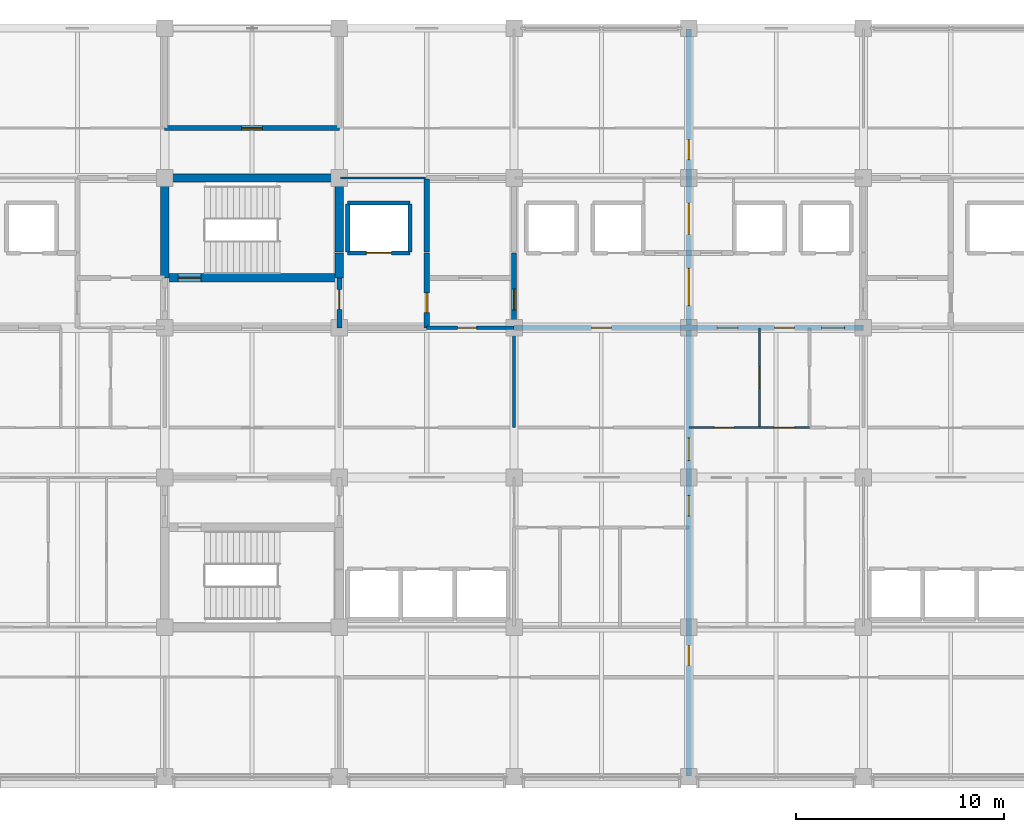
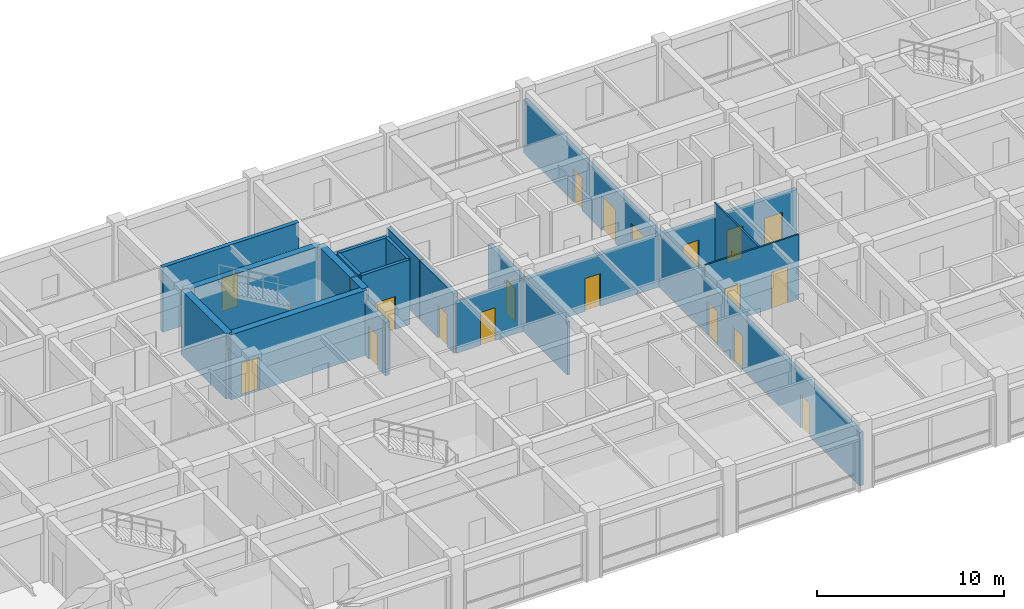
# One storey, part 19 of 30: 21 walls, 20 doors, 20 openings.
"""IFC4 building model written with IfcOpenShell, lengths in metres."""

from ifc_helpers import new_model, si_unit, direction, frame, frame_2d, origin, place, context, subcontext, project, spatial, rectangle, extrude, material, layer, layer_set, type_object, element, fill, save


model = new_model("IFC4")

# Units and contexts
model_context = context("Model", 3, precision=1e-05, world=origin(), true_north=direction((0.0, 1.0)))
body_context = subcontext(model_context, "Body", "Model", "MODEL_VIEW")
ifc_project = project(units=[si_unit("LENGTHUNIT", "METRE"), si_unit("AREAUNIT", "SQUARE_METRE"), si_unit("VOLUMEUNIT", "CUBIC_METRE"), si_unit("PLANEANGLEUNIT", "RADIAN"), si_unit("MASSUNIT", "GRAM", prefix="KILO")], contexts=[model_context])

# Site, building, storey
site_placement = place(None, origin())
site = spatial("IfcSite", under=ifc_project, at=site_placement, CompositionType="ELEMENT")
building_placement = place(site_placement, origin())
building = spatial("IfcBuilding", under=site, at=building_placement, Name="Chengyuan Square Courthouse", CompositionType="ELEMENT")
storey_placement = place(building_placement, frame((0.0, 0.0, 26.10009765625)))
storey = spatial("IfcBuildingStorey", under=building, at=storey_placement, Name="L06", CompositionType="ELEMENT", Elevation=26.10009765625)

# Wall, openings, doors
ifc_material_1 = material(Name="Concrete C40", Category="concrete")
ifc_layer_1 = layer(ifc_material_1, 0.25)
ifc_layer_set_1 = layer_set([ifc_layer_1], Name="Concrete C40")
wall_type_1 = type_object("IfcWallType", Name="WL-FW1", PredefinedType="STANDARD", material=ifc_layer_set_1)
wall_1_placement = place(storey_placement, frame((75.60009765625, 100.800048828125, 0.0), z_axis=(0.0, 0.0, 1.0), x_axis=(1.0, 0.0, 0.0)))
wall_1 = element("IfcWall", 1, at=wall_1_placement, inside=storey, type_object=wall_type_1, Name="Interior Wall WL-L06-I2419", PredefinedType="STANDARD", context=body_context, shape_type="SweptSolid", body=[
    extrude(rectangle(XDim=16.7998046875, YDim=0.25, at=frame_2d((8.39990234375, 0.0))), origin(), (0.0, 0.0, 1.0), 3.389892578125),
])
opening_1_placement = place(wall_1_placement, frame((3.72509765625, 0.0, 0.0)))
opening_1 = element("IfcOpeningElement", 2, at=opening_1_placement, cuts=wall_1, Name="Opening DR-2156", PredefinedType="OPENING", context=body_context, shape_type="SweptSolid", body=[
    extrude(rectangle(XDim=0.949951171875, YDim=2.14990234375, at=frame_2d((0.47509765625, 1.074951171875))), frame((0.0, 0.136962890625, 0.0), z_axis=(0.0, -1.0, 0.0), x_axis=(1.0, 0.0, 0.0)), (0.0, 0.0, 1.0), 0.27392578125),
])
opening_2_placement = place(wall_1_placement, frame((9.760009765625, 0.0, 0.0)))
opening_2 = element("IfcOpeningElement", 3, at=opening_2_placement, cuts=wall_1, Name="Opening DR-2158", PredefinedType="OPENING", context=body_context, shape_type="SweptSolid", body=[
    extrude(rectangle(XDim=1.0, YDim=2.199951171875, at=frame_2d((0.5, 1.10009765625))), frame((0.0, 0.136962890625, 0.0), z_axis=(0.0, -1.0, 0.0), x_axis=(1.0, 0.0, 0.0)), (0.0, 0.0, 1.0), 0.27392578125),
])
opening_3_placement = place(wall_1_placement, frame((12.52490234375, 0.0, 0.0)))
opening_3 = element("IfcOpeningElement", 4, at=opening_3_placement, cuts=wall_1, Name="Opening DR-2159", PredefinedType="OPENING", context=body_context, shape_type="SweptSolid", body=[
    extrude(rectangle(XDim=0.949951171875, YDim=2.14990234375, at=frame_2d((0.47509765625, 1.074951171875))), frame((0.0, 0.136962890625, 0.0), z_axis=(0.0, -1.0, 0.0), x_axis=(1.0, 0.0, 0.0)), (0.0, 0.0, 1.0), 0.27392578125),
])
opening_4_placement = place(wall_1_placement, frame((14.7900390625, 0.0, 0.0)))
opening_4 = element("IfcOpeningElement", 5, at=opening_4_placement, cuts=wall_1, Name="Opening DR-2160", PredefinedType="OPENING", context=body_context, shape_type="SweptSolid", body=[
    extrude(rectangle(XDim=1.10009765625, YDim=2.199951171875, at=frame_2d((0.550048828125, 1.10009765625))), frame((0.0, 0.136962890625, 0.0), z_axis=(0.0, -1.0, 0.0), x_axis=(1.0, 0.0, 0.0)), (0.0, 0.0, 1.0), 0.27392578125),
])
ifc_material_2 = material(Name="Steel Q235B Fire Door", Category="steel")
door_type_1 = type_object("IfcDoorType", Name="DT-10", OperationType="NOTDEFINED", PredefinedType="DOOR", material=ifc_material_2)
door_1_placement = place(opening_4_placement, origin())
door_1 = element("IfcDoor", 6, at=door_1_placement, inside=storey, type_object=door_type_1, Name="Interior Door DR-2160", OperationType="SINGLE_SWING_LEFT", OverallHeight=2.199951171875, OverallWidth=1.10009765625, PredefinedType="DOOR", context=body_context, shape_type="SweptSolid", body=[
    extrude(rectangle(XDim=1.10009765625, YDim=2.199951171875, at=frame_2d((0.550048828125, 1.10009765625))), frame((0.0, 0.02490234375, 0.0), z_axis=(0.0, -1.0, 0.0), x_axis=(1.0, 0.0, 0.0)), (0.0, 0.0, 1.0), 0.050048828125),
])
fill(opening_4, door_1)
door_type_2 = type_object("IfcDoorType", Name="DT-11", OperationType="NOTDEFINED", PredefinedType="DOOR", material=ifc_material_2)
door_2_placement = place(opening_2_placement, origin())
door_2 = element("IfcDoor", 7, at=door_2_placement, inside=storey, type_object=door_type_2, Name="Interior Door DR-2158", OperationType="SINGLE_SWING_LEFT", OverallHeight=2.199951171875, OverallWidth=1.0, PredefinedType="DOOR", context=body_context, shape_type="SweptSolid", body=[
    extrude(rectangle(XDim=1.0, YDim=2.199951171875, at=frame_2d((0.5, 1.10009765625))), frame((0.0, 0.02490234375, 0.0), z_axis=(0.0, -1.0, 0.0), x_axis=(1.0, 0.0, 0.0)), (0.0, 0.0, 1.0), 0.050048828125),
])
fill(opening_2, door_2)
door_type_3 = type_object("IfcDoorType", Name="DT-12", OperationType="NOTDEFINED", PredefinedType="DOOR", material=ifc_material_2)
door_3_placement = place(opening_1_placement, origin())
door_3 = element("IfcDoor", 8, at=door_3_placement, inside=storey, type_object=door_type_3, Name="Interior Door DR-2156", OperationType="SINGLE_SWING_LEFT", OverallHeight=2.14990234375, OverallWidth=0.949951171875, PredefinedType="DOOR", context=body_context, shape_type="SweptSolid", body=[
    extrude(rectangle(XDim=0.949951171875, YDim=2.14990234375, at=frame_2d((0.47509765625, 1.074951171875))), frame((0.0, 0.02490234375, 0.0), z_axis=(0.0, -1.0, 0.0), x_axis=(1.0, 0.0, 0.0)), (0.0, 0.0, 1.0), 0.050048828125),
])
fill(opening_1, door_3)
door_4_placement = place(opening_3_placement, origin())
door_4 = element("IfcDoor", 9, at=door_4_placement, inside=storey, type_object=door_type_3, Name="Interior Door DR-2159", OperationType="SINGLE_SWING_RIGHT", OverallHeight=2.14990234375, OverallWidth=0.949951171875, PredefinedType="DOOR", context=body_context, shape_type="SweptSolid", body=[
    extrude(rectangle(XDim=0.949951171875, YDim=2.14990234375, at=frame_2d((0.47509765625, 1.074951171875))), frame((0.0, 0.02490234375, 0.0), z_axis=(0.0, -1.0, 0.0), x_axis=(1.0, 0.0, 0.0)), (0.0, 0.0, 1.0), 0.050048828125),
])
fill(opening_3, door_4)

# Wall, opening, door
wall_2_placement = place(storey_placement, frame((58.800048828125, 110.39990234375, 0.0), z_axis=(0.0, 0.0, 1.0), x_axis=(1.0, 0.0, 0.0)))
wall_2 = element("IfcWall", 10, at=wall_2_placement, inside=storey, type_object=wall_type_1, Name="Interior Wall WL-L06-I2476", PredefinedType="STANDARD", context=body_context, shape_type="SweptSolid", body=[
    extrude(rectangle(XDim=8.39990234375, YDim=0.25, at=frame_2d((4.199951171875, 0.0))), origin(), (0.0, 0.0, 1.0), 4.239990234375),
])
opening_5_placement = place(wall_2_placement, frame((3.699951171875, 0.0, 0.0)))
opening_5 = element("IfcOpeningElement", 11, at=opening_5_placement, cuts=wall_2, Name="Opening DR-2281", PredefinedType="OPENING", context=body_context, shape_type="SweptSolid", body=[
    extrude(rectangle(XDim=1.0, YDim=2.199951171875, at=frame_2d((0.5, 1.10009765625))), frame((0.0, 0.136962890625, 0.0), z_axis=(0.0, -1.0, 0.0), x_axis=(1.0, 0.0, 0.0)), (0.0, 0.0, 1.0), 0.27392578125),
])
door_5_placement = place(opening_5_placement, origin())
door_5 = element("IfcDoor", 12, at=door_5_placement, inside=storey, type_object=door_type_2, Name="Interior Door DR-2281", OperationType="SINGLE_SWING_RIGHT", OverallHeight=2.199951171875, OverallWidth=1.0, PredefinedType="DOOR", context=body_context, shape_type="SweptSolid", body=[
    extrude(rectangle(XDim=1.0, YDim=2.199951171875, at=frame_2d((0.5, 1.10009765625))), frame((0.0, 0.02490234375, 0.0), z_axis=(0.0, -1.0, 0.0), x_axis=(1.0, 0.0, 0.0)), (0.0, 0.0, 1.0), 0.050048828125),
])
fill(opening_5, door_5)

wall_3_placement = place(storey_placement, frame((67.199951171875, 100.800048828125, 0.0), z_axis=(0.0, 0.0, 1.0), x_axis=(0.0, 1.0, 0.0)))
wall_3 = element("IfcWall", 13, at=wall_3_placement, inside=storey, type_object=wall_type_1, Name="Interior Wall WL-L06-I2521", PredefinedType="STANDARD", context=body_context, shape_type="SweptSolid", body=[
    extrude(rectangle(XDim=2.39990234375, YDim=0.25, at=frame_2d((1.199951171875, 0.0))), origin(), (0.0, 0.0, 1.0), 3.489990234375),
])
opening_6_placement = place(wall_3_placement, frame((0.885009765625, 0.0, 0.0)))
opening_6 = element("IfcOpeningElement", 14, at=opening_6_placement, cuts=wall_3, Name="Opening DR-2117", PredefinedType="OPENING", context=body_context, shape_type="SweptSolid", body=[
    extrude(rectangle(XDim=0.949951171875, YDim=2.14990234375, at=frame_2d((0.47509765625, 1.074951171875))), frame((0.0, 0.136962890625, 0.0), z_axis=(0.0, -1.0, 0.0), x_axis=(1.0, 0.0, 0.0)), (0.0, 0.0, 1.0), 0.27392578125),
])
door_6_placement = place(opening_6_placement, origin())
door_6 = element("IfcDoor", 15, at=door_6_placement, inside=storey, type_object=door_type_3, Name="Interior Door DR-2117", OperationType="SINGLE_SWING_LEFT", OverallHeight=2.14990234375, OverallWidth=0.949951171875, PredefinedType="DOOR", context=body_context, shape_type="SweptSolid", body=[
    extrude(rectangle(XDim=0.949951171875, YDim=2.14990234375, at=frame_2d((0.47509765625, 1.074951171875))), frame((0.0, 0.02490234375, 0.0), z_axis=(0.0, -1.0, 0.0), x_axis=(1.0, 0.0, 0.0)), (0.0, 0.0, 1.0), 0.050048828125),
])
fill(opening_6, door_6)

wall_4_placement = place(storey_placement, frame((71.39990234375, 100.800048828125, 0.0), z_axis=(0.0, 0.0, 1.0), x_axis=(0.0, 1.0, 0.0)))
wall_4 = element("IfcWall", 16, at=wall_4_placement, inside=storey, type_object=wall_type_1, Name="Interior Wall WL-L06-I2529", PredefinedType="STANDARD", context=body_context, shape_type="SweptSolid", body=[
    extrude(rectangle(XDim=3.599853515625, YDim=0.25, at=frame_2d((1.7998046875, 0.0))), origin(), (0.0, 0.0, 1.0), 3.889892578125),
])
opening_7_placement = place(wall_4_placement, frame((0.72509765625, 0.0, 0.0)))
opening_7 = element("IfcOpeningElement", 17, at=opening_7_placement, cuts=wall_4, Name="Opening DR-2135", PredefinedType="OPENING", context=body_context, shape_type="SweptSolid", body=[
    extrude(rectangle(XDim=0.949951171875, YDim=2.14990234375, at=frame_2d((0.47509765625, 1.074951171875))), frame((0.0, 0.136962890625, 0.0), z_axis=(0.0, -1.0, 0.0), x_axis=(1.0, 0.0, 0.0)), (0.0, 0.0, 1.0), 0.27392578125),
])
door_7_placement = place(opening_7_placement, origin())
door_7 = element("IfcDoor", 18, at=door_7_placement, inside=storey, type_object=door_type_3, Name="Interior Door DR-2135", OperationType="SINGLE_SWING_LEFT", OverallHeight=2.14990234375, OverallWidth=0.949951171875, PredefinedType="DOOR", context=body_context, shape_type="SweptSolid", body=[
    extrude(rectangle(XDim=0.949951171875, YDim=2.14990234375, at=frame_2d((0.47509765625, 1.074951171875))), frame((0.0, 0.02490234375, 0.0), z_axis=(0.0, -1.0, 0.0), x_axis=(1.0, 0.0, 0.0)), (0.0, 0.0, 1.0), 0.050048828125),
])
fill(opening_7, door_7)

# Wall
wall_5_placement = place(storey_placement, frame((71.39990234375, 104.449951171875, 0.0), z_axis=(0.0, 0.0, 1.0), x_axis=(0.0, 1.0, 0.0)))
element("IfcWall", 19, at=wall_5_placement, inside=storey, type_object=wall_type_1, Name="Interior Wall WL-L06-I2530", PredefinedType="STANDARD", context=body_context, shape_type="SweptSolid", body=[
    extrude(rectangle(XDim=3.5, YDim=0.25, at=frame_2d((1.75, 0.0))), origin(), (0.0, 0.0, 1.0), 3.889892578125),
])

# Wall, opening, door
wall_6_placement = place(storey_placement, frame((75.60009765625, 100.800048828125, 0.0), z_axis=(0.0, 0.0, 1.0), x_axis=(0.0, 1.0, 0.0)))
wall_6 = element("IfcWall", 20, at=wall_6_placement, inside=storey, type_object=wall_type_1, Name="Interior Wall WL-L06-I2537", PredefinedType="STANDARD", context=body_context, shape_type="SweptSolid", body=[
    extrude(rectangle(XDim=3.599853515625, YDim=0.25, at=frame_2d((1.7998046875, 0.0))), origin(), (0.0, 0.0, 1.0), 3.489990234375),
])
opening_8_placement = place(wall_6_placement, frame((0.860107421875, 0.0, 0.0)))
opening_8 = element("IfcOpeningElement", 21, at=opening_8_placement, cuts=wall_6, Name="Opening DR-2137", PredefinedType="OPENING", context=body_context, shape_type="SweptSolid", body=[
    extrude(rectangle(XDim=1.0, YDim=2.199951171875, at=frame_2d((0.5, 1.10009765625))), frame((0.0, 0.136962890625, 0.0), z_axis=(0.0, -1.0, 0.0), x_axis=(1.0, 0.0, 0.0)), (0.0, 0.0, 1.0), 0.27392578125),
])
door_8_placement = place(opening_8_placement, origin())
door_8 = element("IfcDoor", 22, at=door_8_placement, inside=storey, type_object=door_type_2, Name="Interior Door DR-2137", OperationType="SINGLE_SWING_LEFT", OverallHeight=2.199951171875, OverallWidth=1.0, PredefinedType="DOOR", context=body_context, shape_type="SweptSolid", body=[
    extrude(rectangle(XDim=1.0, YDim=2.199951171875, at=frame_2d((0.5, 1.10009765625))), frame((0.0, 0.02490234375, 0.0), z_axis=(0.0, -1.0, 0.0), x_axis=(1.0, 0.0, 0.0)), (0.0, 0.0, 1.0), 0.050048828125),
])
fill(opening_8, door_8)

# Wall, openings, doors
wall_7_placement = place(storey_placement, frame((84.0, 79.239990234375, 0.0), z_axis=(0.0, 0.0, 1.0), x_axis=(0.0, 1.0, 0.0)))
wall_7 = element("IfcWall", 23, at=wall_7_placement, inside=storey, type_object=wall_type_1, Name="Interior Wall WL-L06-I2547", PredefinedType="STANDARD", context=body_context, shape_type="SweptSolid", body=[
    extrude(rectangle(XDim=35.919921875, YDim=0.25, at=frame_2d((17.9599609375, 0.0))), origin(), (0.0, 0.0, 1.0), 3.489990234375),
])
opening_9_placement = place(wall_7_placement, frame((22.6201171875, 0.0, 0.0)))
opening_9 = element("IfcOpeningElement", 24, at=opening_9_placement, cuts=wall_7, Name="Opening DR-2155", PredefinedType="OPENING", context=body_context, shape_type="SweptSolid", body=[
    extrude(rectangle(XDim=1.800048828125, YDim=2.35009765625, at=frame_2d((0.89990234375, 1.175048828125))), frame((0.0, 0.136962890625, 0.0), z_axis=(0.0, -1.0, 0.0), x_axis=(1.0, 0.0, 0.0)), (0.0, 0.0, 1.0), 0.27392578125),
])
opening_10_placement = place(wall_7_placement, frame((12.5, 0.0, 0.0)))
opening_10 = element("IfcOpeningElement", 25, at=opening_10_placement, cuts=wall_7, Name="Opening DR-2194", PredefinedType="OPENING", context=body_context, shape_type="SweptSolid", body=[
    extrude(rectangle(XDim=1.0, YDim=2.199951171875, at=frame_2d((0.5, 1.10009765625))), frame((0.0, 0.136962890625, 0.0), z_axis=(0.0, -1.0, 0.0), x_axis=(1.0, 0.0, 0.0)), (0.0, 0.0, 1.0), 0.27392578125),
])
opening_11_placement = place(wall_7_placement, frame((15.169921875, 0.0, 0.0)))
opening_11 = element("IfcOpeningElement", 26, at=opening_11_placement, cuts=wall_7, Name="Opening DR-2205", PredefinedType="OPENING", context=body_context, shape_type="SweptSolid", body=[
    extrude(rectangle(XDim=1.10009765625, YDim=2.199951171875, at=frame_2d((0.550048828125, 1.10009765625))), frame((0.0, 0.136962890625, 0.0), z_axis=(0.0, -1.0, 0.0), x_axis=(1.0, 0.0, 0.0)), (0.0, 0.0, 1.0), 0.27392578125),
])
opening_12_placement = place(wall_7_placement, frame((26.050048828125, 0.0, 0.0)))
opening_12 = element("IfcOpeningElement", 27, at=opening_12_placement, cuts=wall_7, Name="Opening DR-2276", PredefinedType="OPENING", context=body_context, shape_type="SweptSolid", body=[
    extrude(rectangle(XDim=1.5, YDim=2.25, at=frame_2d((0.75, 1.125))), frame((0.0, 0.136962890625, 0.0), z_axis=(0.0, -1.0, 0.0), x_axis=(1.0, 0.0, 0.0)), (0.0, 0.0, 1.0), 0.27392578125),
])
opening_13_placement = place(wall_7_placement, frame((29.64501953125, 0.0, 0.0)))
opening_13 = element("IfcOpeningElement", 28, at=opening_13_placement, cuts=wall_7, Name="Opening DR-2279", PredefinedType="OPENING", context=body_context, shape_type="SweptSolid", body=[
    extrude(rectangle(XDim=0.949951171875, YDim=2.14990234375, at=frame_2d((0.47509765625, 1.074951171875))), frame((0.0, 0.136962890625, 0.0), z_axis=(0.0, -1.0, 0.0), x_axis=(1.0, 0.0, 0.0)), (0.0, 0.0, 1.0), 0.27392578125),
])
opening_14_placement = place(wall_7_placement, frame((5.324951171875, 0.0, 0.0)))
opening_14 = element("IfcOpeningElement", 29, at=opening_14_placement, cuts=wall_7, Name="Opening DR-2291", PredefinedType="OPENING", context=body_context, shape_type="SweptSolid", body=[
    extrude(rectangle(XDim=0.949951171875, YDim=2.14990234375, at=frame_2d((0.47509765625, 1.074951171875))), frame((0.0, 0.136962890625, 0.0), z_axis=(0.0, -1.0, 0.0), x_axis=(1.0, 0.0, 0.0)), (0.0, 0.0, 1.0), 0.27392578125),
])
door_9_placement = place(opening_11_placement, origin())
door_9 = element("IfcDoor", 30, at=door_9_placement, inside=storey, type_object=door_type_1, Name="Interior Door DR-2205", OperationType="SINGLE_SWING_RIGHT", OverallHeight=2.199951171875, OverallWidth=1.10009765625, PredefinedType="DOOR", context=body_context, shape_type="SweptSolid", body=[
    extrude(rectangle(XDim=1.10009765625, YDim=2.199951171875, at=frame_2d((0.550048828125, 1.10009765625))), frame((0.0, 0.02490234375, 0.0), z_axis=(0.0, -1.0, 0.0), x_axis=(1.0, 0.0, 0.0)), (0.0, 0.0, 1.0), 0.050048828125),
])
fill(opening_11, door_9)
door_10_placement = place(opening_10_placement, origin())
door_10 = element("IfcDoor", 31, at=door_10_placement, inside=storey, type_object=door_type_2, Name="Interior Door DR-2194", OperationType="SINGLE_SWING_RIGHT", OverallHeight=2.199951171875, OverallWidth=1.0, PredefinedType="DOOR", context=body_context, shape_type="SweptSolid", body=[
    extrude(rectangle(XDim=1.0, YDim=2.199951171875, at=frame_2d((0.5, 1.10009765625))), frame((0.0, 0.02490234375, 0.0), z_axis=(0.0, -1.0, 0.0), x_axis=(1.0, 0.0, 0.0)), (0.0, 0.0, 1.0), 0.050048828125),
])
fill(opening_10, door_10)
door_11_placement = place(opening_13_placement, origin())
door_11 = element("IfcDoor", 32, at=door_11_placement, inside=storey, type_object=door_type_3, Name="Interior Door DR-2279", OperationType="SINGLE_SWING_RIGHT", OverallHeight=2.14990234375, OverallWidth=0.949951171875, PredefinedType="DOOR", context=body_context, shape_type="SweptSolid", body=[
    extrude(rectangle(XDim=0.949951171875, YDim=2.14990234375, at=frame_2d((0.47509765625, 1.074951171875))), frame((0.0, 0.02490234375, 0.0), z_axis=(0.0, -1.0, 0.0), x_axis=(1.0, 0.0, 0.0)), (0.0, 0.0, 1.0), 0.050048828125),
])
fill(opening_13, door_11)
door_12_placement = place(opening_14_placement, origin())
door_12 = element("IfcDoor", 33, at=door_12_placement, inside=storey, type_object=door_type_3, Name="Interior Door DR-2291", OperationType="SINGLE_SWING_RIGHT", OverallHeight=2.14990234375, OverallWidth=0.949951171875, PredefinedType="DOOR", context=body_context, shape_type="SweptSolid", body=[
    extrude(rectangle(XDim=0.949951171875, YDim=2.14990234375, at=frame_2d((0.47509765625, 1.074951171875))), frame((0.0, 0.02490234375, 0.0), z_axis=(0.0, -1.0, 0.0), x_axis=(1.0, 0.0, 0.0)), (0.0, 0.0, 1.0), 0.050048828125),
])
fill(opening_14, door_12)
ifc_material_3 = material(Name="Steel Q235B Glazed Fire Door", Category="steel")
door_type_4 = type_object("IfcDoorType", Name="DT-18", OperationType="DOUBLE_DOOR_SINGLE_SWING", PredefinedType="DOOR", material=ifc_material_3)
door_13_placement = place(opening_9_placement, frame((1.800048828125, 0.0, 0.0), z_axis=(0.0, 0.0, 1.0), x_axis=(-1.0, 0.0, 0.0)))
door_13 = element("IfcDoor", 34, at=door_13_placement, inside=storey, type_object=door_type_4, Name="Interior Door DR-2155", OperationType="DOUBLE_DOOR_SINGLE_SWING", OverallHeight=2.35009765625, OverallWidth=1.800048828125, PredefinedType="DOOR", context=body_context, shape_type="SweptSolid", body=[
    extrude(rectangle(XDim=1.800048828125, YDim=2.35009765625, at=frame_2d((0.89990234375, 1.175048828125))), frame((0.0, 0.02490234375, 0.0), z_axis=(0.0, -1.0, 0.0), x_axis=(1.0, 0.0, 0.0)), (0.0, 0.0, 1.0), 0.050048828125),
])
fill(opening_9, door_13)
door_type_5 = type_object("IfcDoorType", Name="DT-19", OperationType="DOUBLE_DOOR_SINGLE_SWING", PredefinedType="DOOR", material=ifc_material_3)
door_14_placement = place(opening_12_placement, frame((1.5, 0.0, 0.0), z_axis=(0.0, 0.0, 1.0), x_axis=(-1.0, 0.0, 0.0)))
door_14 = element("IfcDoor", 35, at=door_14_placement, inside=storey, type_object=door_type_5, Name="Interior Door DR-2276", OperationType="DOUBLE_DOOR_SINGLE_SWING", OverallHeight=2.25, OverallWidth=1.5, PredefinedType="DOOR", context=body_context, shape_type="SweptSolid", body=[
    extrude(rectangle(XDim=1.5, YDim=2.25, at=frame_2d((0.75, 1.125))), frame((0.0, 0.02490234375, 0.0), z_axis=(0.0, -1.0, 0.0), x_axis=(1.0, 0.0, 0.0)), (0.0, 0.0, 1.0), 0.050048828125),
])
fill(opening_12, door_14)

# Wall, opening, door
ifc_material_4 = material(Name="Deliberation Room Sound-Insulated Partition")
ifc_layer_2 = layer(ifc_material_4, 0.14990234375)
ifc_layer_set_2 = layer_set([ifc_layer_2], Name="Deliberation Room Sound-Insulated Partition")
wall_type_2 = type_object("IfcWallType", Name="WL-PT3", PredefinedType="STANDARD", material=ifc_layer_set_2)
wall_8_placement = place(storey_placement, frame((71.39990234375, 100.800048828125, 0.0), z_axis=(0.0, 0.0, 1.0), x_axis=(1.0, 0.0, 0.0)))
wall_8 = element("IfcWall", 36, at=wall_8_placement, inside=storey, type_object=wall_type_2, Name="Interior Wall WL-L06-I2418", PredefinedType="STANDARD", context=body_context, shape_type="SweptSolid", body=[
    extrude(rectangle(XDim=4.2001953125, YDim=0.14990234375, at=frame_2d((2.10009765625, 0.0))), origin(), (0.0, 0.0, 1.0), 3.389892578125),
])
opening_15_placement = place(wall_8_placement, frame((1.47998046875, 0.0, 0.0)))
opening_15 = element("IfcOpeningElement", 37, at=opening_15_placement, cuts=wall_8, Name="Opening DR-2138", PredefinedType="OPENING", context=body_context, shape_type="SweptSolid", body=[
    extrude(rectangle(XDim=0.919921875, YDim=2.14990234375, at=frame_2d((0.4599609375, 1.074951171875))), frame((0.0, 0.0869140625, 0.0), z_axis=(0.0, -1.0, 0.0), x_axis=(1.0, 0.0, 0.0)), (0.0, 0.0, 1.0), 0.173828125),
])
ifc_material_5 = material(Name="Acoustic Solid-Core Timber Door", Category="wood")
door_type_6 = type_object("IfcDoorType", Name="DT-29", OperationType="NOTDEFINED", PredefinedType="DOOR", material=ifc_material_5)
door_15_placement = place(opening_15_placement, origin())
door_15 = element("IfcDoor", 38, at=door_15_placement, inside=storey, type_object=door_type_6, Name="Interior Door DR-2138", OperationType="SINGLE_SWING_RIGHT", OverallHeight=2.14990234375, OverallWidth=0.919921875, PredefinedType="DOOR", context=body_context, shape_type="SweptSolid", body=[
    extrude(rectangle(XDim=0.919921875, YDim=2.14990234375, at=frame_2d((0.4599609375, 1.074951171875))), frame((0.0, 0.02490234375, 0.0), z_axis=(0.0, -1.0, 0.0), x_axis=(1.0, 0.0, 0.0)), (0.0, 0.0, 1.0), 0.050048828125),
])
fill(opening_15, door_15)

# Wall
wall_9_placement = place(storey_placement, frame((75.60009765625, 96.0, 0.0), z_axis=(0.0, 0.0, 1.0), x_axis=(0.0, 1.0, 0.0)))
element("IfcWall", 39, at=wall_9_placement, inside=storey, type_object=wall_type_2, Name="Interior Wall WL-L06-I2536", PredefinedType="STANDARD", context=body_context, shape_type="SweptSolid", body=[
    extrude(rectangle(XDim=4.800048828125, YDim=0.14990234375, at=frame_2d((2.39990234375, 0.0))), origin(), (0.0, 0.0, 1.0), 3.489990234375),
])

# Wall, openings, doors
ifc_material_6 = material(Name="Gypsum Plasterboard Acoustic Stud Partition")
ifc_layer_3 = layer(ifc_material_6, 0.10009765625)
ifc_layer_set_3 = layer_set([ifc_layer_3], Name="Gypsum Plasterboard Acoustic Stud Partition")
wall_type_3 = type_object("IfcWallType", Name="WL-PT6", PredefinedType="STANDARD", material=ifc_layer_set_3)
wall_10_placement = place(storey_placement, frame((84.0, 96.0, 0.0), z_axis=(0.0, 0.0, 1.0), x_axis=(1.0, 0.0, 0.0)))
wall_10 = element("IfcWall", 40, at=wall_10_placement, inside=storey, type_object=wall_type_3, Name="Interior Wall WL-L06-I2404", PredefinedType="STANDARD", context=body_context, shape_type="SweptSolid", body=[
    extrude(rectangle(XDim=5.800048828125, YDim=0.10009765625, at=frame_2d((2.89990234375, 0.0))), origin(), (0.0, 0.0, 1.0), 4.239990234375),
])
opening_16_placement = place(wall_10_placement, frame((1.22998046875, 0.0, 0.0)))
opening_16 = element("IfcOpeningElement", 41, at=opening_16_placement, cuts=wall_10, Name="Opening DR-2216", PredefinedType="OPENING", context=body_context, shape_type="SweptSolid", body=[
    extrude(rectangle(XDim=0.93994140625, YDim=2.300048828125, at=frame_2d((0.469970703125, 1.14990234375))), frame((0.0, 0.06201171875, 0.0), z_axis=(0.0, -1.0, 0.0), x_axis=(1.0, 0.0, 0.0)), (0.0, 0.0, 1.0), 0.1240234375),
])
opening_17_placement = place(wall_10_placement, frame((4.110107421875, 0.0, 0.0)))
opening_17 = element("IfcOpeningElement", 42, at=opening_17_placement, cuts=wall_10, Name="Opening DR-2217", PredefinedType="OPENING", context=body_context, shape_type="SweptSolid", body=[
    extrude(rectangle(XDim=0.97998046875, YDim=2.35009765625, at=frame_2d((0.489990234375, 1.175048828125))), frame((0.0, 0.06201171875, 0.0), z_axis=(0.0, -1.0, 0.0), x_axis=(1.0, 0.0, 0.0)), (0.0, 0.0, 1.0), 0.1240234375),
])
door_type_7 = type_object("IfcDoorType", Name="DT-39", OperationType="NOTDEFINED", PredefinedType="DOOR", material=ifc_material_5)
door_16_placement = place(opening_16_placement, origin())
door_16 = element("IfcDoor", 43, at=door_16_placement, inside=storey, type_object=door_type_7, Name="Interior Door DR-2216", OperationType="SINGLE_SWING_LEFT", OverallHeight=2.300048828125, OverallWidth=0.93994140625, PredefinedType="DOOR", context=body_context, shape_type="SweptSolid", body=[
    extrude(rectangle(XDim=0.93994140625, YDim=2.300048828125, at=frame_2d((0.469970703125, 1.14990234375))), frame((0.0, 0.02490234375, 0.0), z_axis=(0.0, -1.0, 0.0), x_axis=(1.0, 0.0, 0.0)), (0.0, 0.0, 1.0), 0.050048828125),
])
fill(opening_16, door_16)
door_type_8 = type_object("IfcDoorType", Name="DT-40", OperationType="NOTDEFINED", PredefinedType="DOOR", material=ifc_material_5)
door_17_placement = place(opening_17_placement, origin())
door_17 = element("IfcDoor", 44, at=door_17_placement, inside=storey, type_object=door_type_8, Name="Interior Door DR-2217", OperationType="SINGLE_SWING_RIGHT", OverallHeight=2.35009765625, OverallWidth=0.97998046875, PredefinedType="DOOR", context=body_context, shape_type="SweptSolid", body=[
    extrude(rectangle(XDim=0.97998046875, YDim=2.35009765625, at=frame_2d((0.489990234375, 1.175048828125))), frame((0.0, 0.02490234375, 0.0), z_axis=(0.0, -1.0, 0.0), x_axis=(1.0, 0.0, 0.0)), (0.0, 0.0, 1.0), 0.050048828125),
])
fill(opening_17, door_17)

# Wall
wall_11_placement = place(storey_placement, frame((67.25, 108.0, 0.0), z_axis=(0.0, 0.0, 1.0), x_axis=(1.0, 0.0, 0.0)))
element("IfcWall", 45, at=wall_11_placement, inside=storey, type_object=wall_type_3, Name="Interior Wall WL-L06-I2465", PredefinedType="STANDARD", context=body_context, shape_type="SweptSolid", body=[
    extrude(rectangle(XDim=4.10009765625, YDim=0.10009765625, at=frame_2d((2.050048828125, 0.0))), origin(), (0.0, 0.0, 1.0), 3.389892578125),
])

# Wall, opening, door
wall_12_placement = place(storey_placement, frame((87.39990234375, 96.0, 0.0), z_axis=(0.0, 0.0, 1.0), x_axis=(0.0, 1.0, 0.0)))
wall_12 = element("IfcWall", 46, at=wall_12_placement, inside=storey, type_object=wall_type_3, Name="Interior Wall WL-L06-I2551", PredefinedType="STANDARD", context=body_context, shape_type="SweptSolid", body=[
    extrude(rectangle(XDim=4.800048828125, YDim=0.10009765625, at=frame_2d((2.39990234375, 0.0))), origin(), (0.0, 0.0, 1.0), 4.239990234375),
])
opening_18_placement = place(wall_12_placement, frame((1.8798828125, 0.0, 0.0)))
opening_18 = element("IfcOpeningElement", 47, at=opening_18_placement, cuts=wall_12, Name="Opening DR-2243", PredefinedType="OPENING", context=body_context, shape_type="SweptSolid", body=[
    extrude(rectangle(XDim=1.0400390625, YDim=2.199951171875, at=frame_2d((0.52001953125, 1.10009765625))), frame((0.0, 0.06201171875, 0.0), z_axis=(0.0, -1.0, 0.0), x_axis=(1.0, 0.0, 0.0)), (0.0, 0.0, 1.0), 0.1240234375),
])
door_type_9 = type_object("IfcDoorType", Name="DT-32", OperationType="NOTDEFINED", PredefinedType="DOOR", material=ifc_material_5)
door_18_placement = place(opening_18_placement, origin())
door_18 = element("IfcDoor", 48, at=door_18_placement, inside=storey, type_object=door_type_9, Name="Interior Door DR-2243", OperationType="SINGLE_SWING_LEFT", OverallHeight=2.199951171875, OverallWidth=1.0400390625, PredefinedType="DOOR", context=body_context, shape_type="SweptSolid", body=[
    extrude(rectangle(XDim=1.0400390625, YDim=2.199951171875, at=frame_2d((0.52001953125, 1.10009765625))), frame((0.0, 0.02490234375, 0.0), z_axis=(0.0, -1.0, 0.0), x_axis=(1.0, 0.0, 0.0)), (0.0, 0.0, 1.0), 0.050048828125),
])
fill(opening_18, door_18)

ifc_material_7 = material(Name="Reinforced Masonry Shaft Enclosure", Category="masonry")
ifc_layer_4 = layer(ifc_material_7, 0.199951171875)
ifc_layer_set_4 = layer_set([ifc_layer_4], Name="Reinforced Masonry Shaft Enclosure")
wall_type_4 = type_object("IfcWallType", Name="WL-SH1", PredefinedType="STANDARD", material=ifc_layer_set_4)
wall_13_placement = place(storey_placement, frame((67.60009765625, 104.39990234375, 0.0), z_axis=(0.0, 0.0, 1.0), x_axis=(1.0, 0.0, 0.0)))
wall_13 = element("IfcWall", 49, at=wall_13_placement, inside=storey, type_object=wall_type_4, Name="Interior Wall WL-L06-I2442", PredefinedType="STANDARD", context=body_context, shape_type="SweptSolid", body=[
    extrude(rectangle(XDim=3.0, YDim=0.199951171875, at=frame_2d((1.5, 0.0))), origin(), (0.0, 0.0, 1.0), 4.239990234375),
])
opening_19_placement = place(wall_13_placement, frame((0.89990234375, 0.0, 0.0)))
opening_19 = element("IfcOpeningElement", 50, at=opening_19_placement, cuts=wall_13, Name="Opening LD-101", PredefinedType="OPENING", context=body_context, shape_type="SweptSolid", body=[
    extrude(rectangle(XDim=1.199951171875, YDim=2.14990234375, at=frame_2d((0.60009765625, 1.074951171875))), frame((0.0, 0.112060546875, 0.0), z_axis=(0.0, -1.0, 0.0), x_axis=(1.0, 0.0, 0.0)), (0.0, 0.0, 1.0), 0.223876953125),
])
ifc_material_8 = material(Name="Stainless Steel S30408 Lift Landing Door", Category="steel")
door_type_10 = type_object("IfcDoorType", Name="DT-05", OperationType="DOUBLE_DOOR_SLIDING", PredefinedType="DOOR", material=ifc_material_8)
door_19_placement = place(opening_19_placement, origin())
door_19 = element("IfcDoor", 51, at=door_19_placement, inside=storey, type_object=door_type_10, Name="Lift Landing Door LF-F1 L06", OperationType="DOUBLE_DOOR_SLIDING", OverallHeight=2.14990234375, OverallWidth=1.199951171875, PredefinedType="DOOR", context=body_context, shape_type="SweptSolid", body=[
    extrude(rectangle(XDim=1.199951171875, YDim=2.14990234375, at=frame_2d((0.60009765625, 1.074951171875))), frame((0.0, 0.02490234375, 0.0), z_axis=(0.0, -1.0, 0.0), x_axis=(1.0, 0.0, 0.0)), (0.0, 0.0, 1.0), 0.050048828125),
])
fill(opening_19, door_19)

# Walls
wall_14_placement = place(storey_placement, frame((67.60009765625, 106.800048828125, 0.0), z_axis=(0.0, 0.0, 1.0), x_axis=(1.0, 0.0, 0.0)))
element("IfcWall", 52, at=wall_14_placement, inside=storey, type_object=wall_type_4, Name="Interior Wall WL-L06-I2454", PredefinedType="STANDARD", context=body_context, shape_type="SweptSolid", body=[
    extrude(rectangle(XDim=3.0, YDim=0.199951171875, at=frame_2d((1.5, 0.0))), origin(), (0.0, 0.0, 1.0), 4.239990234375),
])
for number, where, z_axis, x_axis, name in (
    (53, (67.60009765625, 104.449951171875, 0.0), (0.0, 0.0, 1.0), (0.0, 1.0, 0.0), "Interior Wall WL-L06-I2526"),
    (54, (70.60009765625, 104.449951171875, 0.0), (0.0, 0.0, 1.0), (0.0, 1.0, 0.0), "Interior Wall WL-L06-I2528"),
):
    element("IfcWall", number, at=place(storey_placement, frame(where, z_axis=z_axis, x_axis=x_axis)), inside=storey, type_object=wall_type_4, Name=name, PredefinedType="STANDARD", context=body_context, shape_type="SweptSolid", body=[
        extrude(rectangle(XDim=2.300048828125, YDim=0.199951171875, at=frame_2d((1.14990234375, 0.0))), origin(), (0.0, 0.0, 1.0), 4.239990234375),
    ])

# Wall, opening, door
ifc_material_9 = material(Name="Concrete C50", Category="concrete")
ifc_layer_5 = layer(ifc_material_9, 0.39990234375)
ifc_layer_set_5 = layer_set([ifc_layer_5], Name="Concrete C50")
wall_type_5 = type_object("IfcWallType", Name="WL-SW1", PredefinedType="SHEAR", material=ifc_layer_set_5)
wall_15_placement = place(storey_placement, frame((58.800048828125, 103.199951171875, 0.0), z_axis=(0.0, 0.0, 1.0), x_axis=(1.0, 0.0, 0.0)))
wall_15 = element("IfcWall", 55, at=wall_15_placement, inside=storey, type_object=wall_type_5, Name="Interior Wall WL-L06-I2432", PredefinedType="SHEAR", context=body_context, shape_type="SweptSolid", body=[
    extrude(rectangle(XDim=8.39990234375, YDim=0.39990234375, at=frame_2d((4.199951171875, 0.0))), origin(), (0.0, 0.0, 1.0), 4.239990234375),
])
opening_20_placement = place(wall_15_placement, frame((0.64990234375, 0.0, 0.0)))
opening_20 = element("IfcOpeningElement", 56, at=opening_20_placement, cuts=wall_15, Name="Opening DR-2111", PredefinedType="OPENING", context=body_context, shape_type="SweptSolid", body=[
    extrude(rectangle(XDim=1.10009765625, YDim=2.199951171875, at=frame_2d((0.550048828125, 1.10009765625))), frame((0.0, 0.2119140625, 0.0), z_axis=(0.0, -1.0, 0.0), x_axis=(1.0, 0.0, 0.0)), (0.0, 0.0, 1.0), 0.423828125),
])
door_20_placement = place(opening_20_placement, origin())
door_20 = element("IfcDoor", 57, at=door_20_placement, inside=storey, type_object=door_type_1, Name="Smoke-Proof Stairwell Fire Door ST-1 DR-2111", OperationType="SINGLE_SWING_LEFT", OverallHeight=2.199951171875, OverallWidth=1.10009765625, PredefinedType="DOOR", context=body_context, shape_type="SweptSolid", body=[
    extrude(rectangle(XDim=1.10009765625, YDim=2.199951171875, at=frame_2d((0.550048828125, 1.10009765625))), frame((0.0, 0.02490234375, 0.0), z_axis=(0.0, -1.0, 0.0), x_axis=(1.0, 0.0, 0.0)), (0.0, 0.0, 1.0), 0.050048828125),
])
fill(opening_20, door_20)

# Walls
wall_16_placement = place(storey_placement, frame((58.800048828125, 108.0, 0.0), z_axis=(0.0, 0.0, 1.0), x_axis=(1.0, 0.0, 0.0)))
element("IfcWall", 58, at=wall_16_placement, inside=storey, type_object=wall_type_5, Name="Interior Wall WL-L06-I2464", PredefinedType="SHEAR", context=body_context, shape_type="SweptSolid", body=[
    extrude(rectangle(XDim=8.39990234375, YDim=0.39990234375, at=frame_2d((4.199951171875, 0.0))), origin(), (0.0, 0.0, 1.0), 4.239990234375),
])
wall_17_placement = place(storey_placement, frame((58.800048828125, 103.199951171875, 0.0), z_axis=(0.0, 0.0, 1.0), x_axis=(0.0, 1.0, 0.0)))
element("IfcWall", 59, at=wall_17_placement, inside=storey, type_object=wall_type_5, Name="Interior Wall WL-L06-I2514", PredefinedType="SHEAR", context=body_context, shape_type="SweptSolid", body=[
    extrude(rectangle(XDim=4.800048828125, YDim=0.39990234375, at=frame_2d((2.39990234375, 0.0))), origin(), (0.0, 0.0, 1.0), 4.239990234375),
])
wall_18_placement = place(storey_placement, frame((67.199951171875, 103.199951171875, 0.0), z_axis=(0.0, 0.0, 1.0), x_axis=(0.0, 1.0, 0.0)))
element("IfcWall", 60, at=wall_18_placement, inside=storey, type_object=wall_type_5, Name="Interior Wall WL-L06-I2522", PredefinedType="SHEAR", context=body_context, shape_type="SweptSolid", body=[
    extrude(rectangle(XDim=1.199951171875, YDim=0.39990234375, at=frame_2d((0.60009765625, 0.0))), origin(), (0.0, 0.0, 1.0), 4.239990234375),
])
wall_19_placement = place(storey_placement, frame((67.199951171875, 104.449951171875, 0.0), z_axis=(0.0, 0.0, 1.0), x_axis=(0.0, 1.0, 0.0)))
element("IfcWall", 61, at=wall_19_placement, inside=storey, type_object=wall_type_5, Name="Interior Wall WL-L06-I2523", PredefinedType="SHEAR", context=body_context, shape_type="SweptSolid", body=[
    extrude(rectangle(XDim=3.5, YDim=0.39990234375, at=frame_2d((1.75, 0.0))), origin(), (0.0, 0.0, 1.0), 4.239990234375),
])

save(model, "model.ifc")
